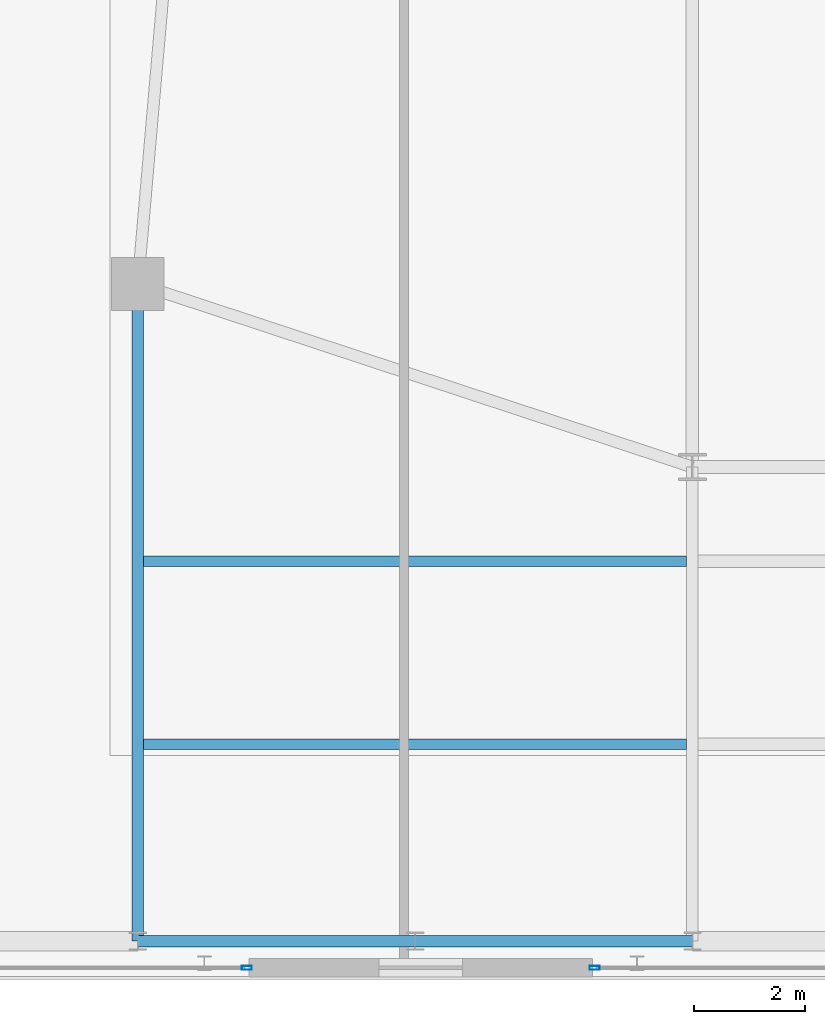
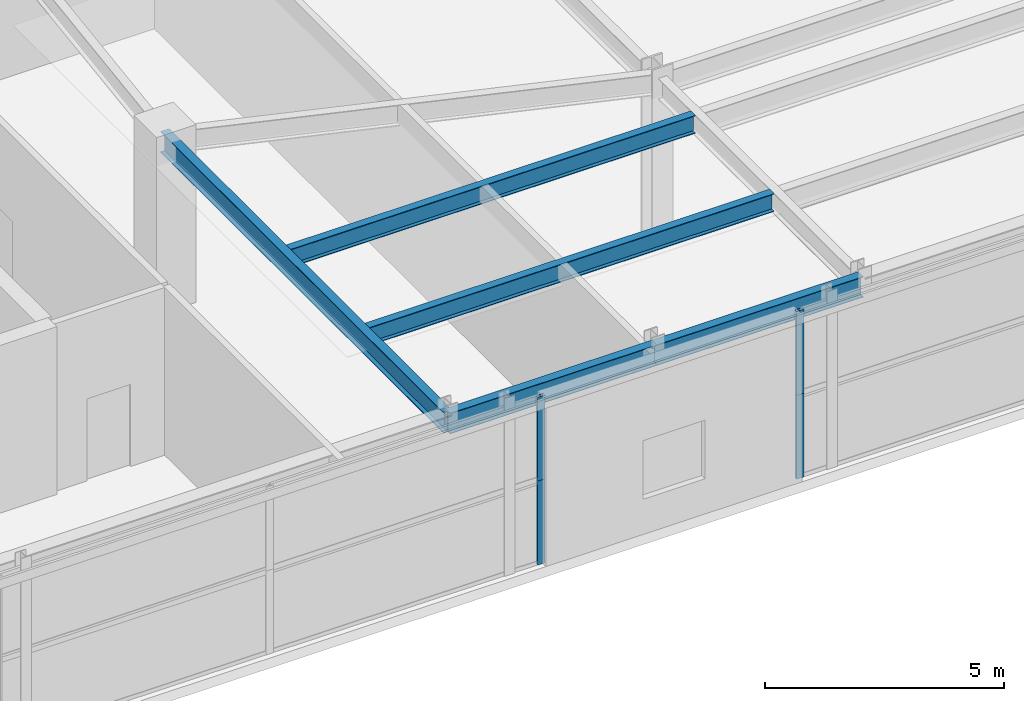
# One storey, part 10 of 26: 5 beams, 4 members, 4 elements without a shape of their own.
"""IFC4 building model written with IfcOpenShell, lengths in metres."""

import ifcopenshell
import ifcopenshell.guid

model = None  # the IFC model being written
_history = None  # IfcOwnerHistory: only IFC2X3 demands one
_inside = {}  # id of a spatial element -> (the spatial element, [elements in it])
_under = {}  # id of a project, library or spatial element -> (it, [spatial elements below it])
_declared = {}  # id of a project -> (the project, [libraries it declares])
_typed = {}  # id of a type object -> (the type object, [elements of that type])
_made_of = {}  # id of a material, layer set ... -> (it, [elements and type objects made of it])


def new_model(schema):
    """Start an empty IFC model of exactly this schema.

    Asked for "IFC4X3", IfcOpenShell would pick the latest addendum, in which some entities
    have other attributes; the version numbers below select the first issue.
    IFC2X3 requires an IfcOwnerHistory on every rooted entity: one is made here for all.
    """
    global model, _history
    if schema == "IFC4X3":
        model = ifcopenshell.file(schema_version=(4, 3, 0, 0))
    else:
        model = ifcopenshell.file(schema=schema)
    _inside.clear()
    _under.clear()
    _declared.clear()
    _typed.clear()
    _made_of.clear()
    _history = None
    if model.schema == "IFC2X3":
        org = make("IfcOrganization", Name="unknown")
        user = make(
            "IfcPersonAndOrganization",
            ThePerson=make("IfcPerson", FamilyName="unknown"),
            TheOrganization=org,
        )
        app = make(
            "IfcApplication",
            ApplicationDeveloper=org,
            Version="unknown",
            ApplicationFullName="unknown",
            ApplicationIdentifier="unknown",
        )
        _history = make(
            "IfcOwnerHistory",
            OwningUser=user,
            OwningApplication=app,
            ChangeAction="ADDED",
            CreationDate=0,
        )
    return model


def make(cls, **values):
    """One entity of the class cls with the attributes given. An attribute that is None is left unset."""
    return model.create_entity(
        cls, **{name: value for name, value in values.items() if value is not None}
    )


def rooted(cls, **values):
    """An entity with a GlobalId (a new one), such as an element, a storey or a relation."""
    return make(cls, GlobalId=ifcopenshell.guid.new(), OwnerHistory=_history, **values)


def si_unit(unit_type, name, prefix=None):
    """IfcSIUnit, for example si_unit("LENGTHUNIT", "METRE", prefix="MILLI")."""
    return make("IfcSIUnit", UnitType=unit_type, Prefix=prefix, Name=name)


def assignment(units):
    """IfcUnitAssignment: the units of a project."""
    return None if units is None else make("IfcUnitAssignment", Units=units)


def point(xyz):
    """IfcCartesianPoint."""
    return None if xyz is None else make("IfcCartesianPoint", Coordinates=xyz)


def direction(xyz):
    """IfcDirection."""
    return None if xyz is None else make("IfcDirection", DirectionRatios=xyz)


def frame(location, z_axis=None, x_axis=None):
    """IfcAxis2Placement3D, a coordinate frame: its origin and axes. An axis left out is left unset."""
    return make(
        "IfcAxis2Placement3D",
        Location=point(location),
        Axis=direction(z_axis),
        RefDirection=direction(x_axis),
    )


def frame_2d(location, x_axis=None):
    """IfcAxis2Placement2D, a coordinate frame in the plane: its origin and x axis."""
    return make(
        "IfcAxis2Placement2D", Location=point(location), RefDirection=direction(x_axis)
    )


def origin():
    """The frame at (0, 0, 0) with its axes left unset."""
    return frame((0.0, 0.0, 0.0))


def origin_2d():
    """The frame at (0, 0) in the plane with its x axis left unset."""
    return frame_2d((0.0, 0.0))


def place(relative_to, where):
    """IfcLocalPlacement: puts the frame where relative to a parent placement (None: the world)."""
    return make(
        "IfcLocalPlacement", PlacementRelTo=relative_to, RelativePlacement=where
    )


def context(
    kind, dimensions, precision=None, world=None, true_north=None, identifier=None
):
    """IfcGeometricRepresentationContext, for example the 3D "Model" context."""
    return make(
        "IfcGeometricRepresentationContext",
        ContextIdentifier=identifier,
        ContextType=kind,
        CoordinateSpaceDimension=dimensions,
        Precision=precision,
        WorldCoordinateSystem=world,
        TrueNorth=true_north,
    )


def subcontext(parent, identifier, kind, view, scale=None):
    """IfcGeometricRepresentationSubContext, for example "Body" below "Model"."""
    return make(
        "IfcGeometricRepresentationSubContext",
        ContextIdentifier=identifier,
        ContextType=kind,
        ParentContext=parent,
        TargetScale=scale,
        TargetView=view,
    )


def project(units=None, contexts=None):
    """IfcProject with its units and contexts."""
    return rooted(
        "IfcProject",
        Name="project",
        RepresentationContexts=contexts,
        UnitsInContext=assignment(units),
    )


def spatial(cls, under=None, at=None, **own):
    """A site, building, storey or space (cls), placed at a placement, below another one or the project."""
    s = rooted(cls, ObjectPlacement=at, **own)
    if under is not None:
        _under.setdefault(under.id(), (under, []))[1].append(s)
    return s


def profile(cls, at=None, kind="AREA", **sizes):
    """A parametric profile (cls). Its sizes go by their IFC names, for example OverallWidth=200.0."""
    return make(cls, ProfileType=kind, Position=at, **sizes)


def hollow_rectangle(**sizes):
    """IfcRectangleHollowProfileDef."""
    return profile("IfcRectangleHollowProfileDef", **sizes)


def i_section(**sizes):
    """IfcIShapeProfileDef."""
    return profile("IfcIShapeProfileDef", **sizes)


def extrude(swept, where, along, depth):
    """IfcExtrudedAreaSolid: the profile swept, set in the frame where, extruded along a direction by depth."""
    return make(
        "IfcExtrudedAreaSolid",
        SweptArea=swept,
        Position=where,
        ExtrudedDirection=direction(along),
        Depth=depth,
    )


def shape(context_of_items, identifier, shape_type, items):
    """IfcShapeRepresentation: the items that make up one representation, for example the "Body"."""
    return make(
        "IfcShapeRepresentation",
        ContextOfItems=context_of_items,
        RepresentationIdentifier=identifier,
        RepresentationType=shape_type,
        Items=items,
    )


def source(mapping_origin, context_of_items, identifier, shape_type, items):
    """IfcRepresentationMap: a shape defined once, which mapped items show again and again."""
    return make(
        "IfcRepresentationMap",
        MappingOrigin=mapping_origin,
        MappedRepresentation=shape(context_of_items, identifier, shape_type, items),
    )


def transform(
    local_origin,
    x_axis=None,
    y_axis=None,
    z_axis=None,
    scale=None,
    scale2=None,
    scale3=None,
    uniform=True,
):
    """IfcCartesianTransformationOperator3D, or its non-uniform kind. x_axis, y_axis, z_axis: its Axis1, 2, 3."""
    if uniform:
        return make(
            "IfcCartesianTransformationOperator3D",
            Axis1=direction(x_axis),
            Axis2=direction(y_axis),
            LocalOrigin=point(local_origin),
            Scale=scale,
            Axis3=direction(z_axis),
        )
    return make(
        "IfcCartesianTransformationOperator3DnonUniform",
        Axis1=direction(x_axis),
        Axis2=direction(y_axis),
        LocalOrigin=point(local_origin),
        Scale=scale,
        Axis3=direction(z_axis),
        Scale2=scale2,
        Scale3=scale3,
    )


def mapped(mapping_source, mapping_target):
    """IfcMappedItem: shows the shape of a source again, moved by a transform."""
    return make(
        "IfcMappedItem", MappingSource=mapping_source, MappingTarget=mapping_target
    )


def material(Name=None, Category=None):
    """IfcMaterial."""
    return make("IfcMaterial", Name=Name, Category=Category)


def layer(
    of_material, thickness, ventilated=None, Name=None, Category=None, Priority=None
):
    """IfcMaterialLayer: one layer of a wall or slab, of a material (None: an air gap)."""
    return make(
        "IfcMaterialLayer",
        Material=of_material,
        LayerThickness=thickness,
        IsVentilated=ventilated,
        Name=Name,
        Category=Category,
        Priority=Priority,
    )


def layer_set(layers, Name=None):
    """IfcMaterialLayerSet."""
    return make("IfcMaterialLayerSet", MaterialLayers=layers, LayerSetName=Name)


def material_profile(
    of_material, cross_section, Name=None, Category=None, Priority=None
):
    """IfcMaterialProfile: a cross section and its material."""
    return make(
        "IfcMaterialProfile",
        Name=Name,
        Material=of_material,
        Profile=cross_section,
        Priority=Priority,
        Category=Category,
    )


def profile_set(profiles, Name=None, composite=None):
    """IfcMaterialProfileSet."""
    return make(
        "IfcMaterialProfileSet",
        Name=Name,
        MaterialProfiles=profiles,
        CompositeProfile=composite,
    )


def made_of(thing, what):
    """Note that an element or type object is made of a material, layer set ...; save() writes the relation."""
    if what is not None:
        _made_of.setdefault(what.id(), (what, []))[1].append(thing)
    return thing


def type_object(cls, material=None, **own):
    """A type object (cls), such as IfcWallType, which elements share."""
    return made_of(rooted(cls, **own), material)


def element(
    cls,
    number,
    at=None,
    inside=None,
    cuts=None,
    type_object=None,
    material=None,
    context=None,
    identifier="Body",
    shape_type=None,
    held_by="IfcProductDefinitionShape",
    body=None,
    shapes=None,
    **own,
):
    """One element of the class cls, such as IfcWall. Its Tag is "e" and its number.

    at: its placement. inside: the storey or other place that contains it. cuts: it is an
    opening in that element (IfcRelVoidsElement). A single representation is given by context,
    identifier, shape_type and body (its items); several are given by shapes. held_by: the class
    of the entity that holds the representations. save() writes the other relations.
    """
    e = rooted(cls, Tag="e%d" % number, ObjectPlacement=at, **own)
    if body is not None:
        shapes = [shape(context, identifier, shape_type, body)]
    if shapes is not None:
        e.Representation = make(held_by, Representations=shapes)
    if inside is not None:
        _inside.setdefault(inside.id(), (inside, []))[1].append(e)
    if cuts is not None:
        rooted(
            "IfcRelVoidsElement", RelatingBuildingElement=cuts, RelatedOpeningElement=e
        )
    if type_object is not None:
        _typed.setdefault(type_object.id(), (type_object, []))[1].append(e)
    return made_of(e, material)


def aggregate(whole, parts):
    """IfcRelAggregates: a whole, such as a stair, and the parts it consists of."""
    return rooted("IfcRelAggregates", RelatingObject=whole, RelatedObjects=parts)


def save(model, path):
    """Write the relations noted so far, then the file.

    IfcRelAggregates (storeys below a building ...), IfcRelContainedInSpatialStructure (elements
    in a storey), IfcRelDefinesByType, IfcRelAssociatesMaterial and IfcRelDeclares: one each for
    every whole, place, type object, material and project.
    """
    for whole, parts in _under.values():
        aggregate(whole, parts)
    for where, things in _inside.values():
        rooted(
            "IfcRelContainedInSpatialStructure",
            RelatedElements=things,
            RelatingStructure=where,
        )
    for kind, things in _typed.values():
        rooted("IfcRelDefinesByType", RelatedObjects=things, RelatingType=kind)
    for what, things in _made_of.values():
        rooted("IfcRelAssociatesMaterial", RelatedObjects=things, RelatingMaterial=what)
    for by, libraries in _declared.values():
        rooted("IfcRelDeclares", RelatingContext=by, RelatedDefinitions=libraries)
    model.write(path)


model = new_model("IFC4")

# Units and contexts
model_context = context("Model", 3, precision=1e-05, world=origin(), true_north=direction((0.0, 1.0)))
body_context = subcontext(model_context, "Body", "Model", "MODEL_VIEW")
ifc_project = project(units=[si_unit("LENGTHUNIT", "METRE"), si_unit("AREAUNIT", "SQUARE_METRE"), si_unit("VOLUMEUNIT", "CUBIC_METRE"), si_unit("PLANEANGLEUNIT", "RADIAN"), si_unit("MASSUNIT", "GRAM", prefix="KILO")], contexts=[model_context])

# Site, building, storey
site_placement = place(None, origin())
site = spatial("IfcSite", under=ifc_project, at=site_placement, CompositionType="ELEMENT")
building_placement = place(site_placement, origin())
building = spatial("IfcBuilding", under=site, at=building_placement, Name="Taldren Reach Tower", CompositionType="ELEMENT")
storey_placement = place(building_placement, frame((0.0, 0.0, 8.39990234375)))
storey = spatial("IfcBuildingStorey", under=building, at=storey_placement, Name="L02", CompositionType="ELEMENT", Elevation=8.39990234375)

# Beams
ifc_material_1 = material(Name="Steel Gr 350 (350PLUS)", Category="steel")
ifc_material_profile_1 = material_profile(ifc_material_1, i_section(OverallWidth=0.208984375, OverallDepth=0.528076171875, WebThickness=0.009521484375, FlangeThickness=0.01318359375, at=origin_2d()), Name="530UB82.0")
ifc_profile_set_1 = profile_set([ifc_material_profile_1], Name="Steel Gr 350 (350PLUS)")
beam_type_1 = type_object("IfcBeamType", Name="SP-UB530B", PredefinedType="SPANDREL", material=ifc_profile_set_1)
shared_shape_1 = source(origin(), body_context, "Body", "SweptSolid", [
    extrude(i_section(OverallWidth=0.208984375, OverallDepth=0.528076171875, WebThickness=0.009521484375, FlangeThickness=0.01318359375, at=origin_2d()), origin(), (0.0, 0.0, 1.0), 5.0),
])
for number, where, z_axis, x_axis, name in (
    (1, (18.0, 0.64990234375, 4.026123046875), (1.0, 0.0, 0.0), (0.0, 1.0, 0.0), "Podium beam L02-PD02"),
    (2, (23.0, 0.64990234375, 4.026123046875), (1.0, 0.0, 0.0), (0.0, 1.0, 0.0), "Podium beam L02-PD03"),
):
    element("IfcBeam", number, at=place(storey_placement, frame(where, z_axis=z_axis, x_axis=x_axis)), inside=storey, type_object=beam_type_1, Name=name, PredefinedType="SPANDREL", context=body_context, shape_type="MappedRepresentation", body=[
        mapped(shared_shape_1, transform((0.0, 0.0, 0.0), scale=1.0)),
    ])
ifc_material_profile_2 = material_profile(ifc_material_1, i_section(OverallWidth=0.208984375, OverallDepth=0.532958984375, WebThickness=0.01025390625, FlangeThickness=0.015625, at=origin_2d()), Name="530UB92.4")
ifc_profile_set_2 = profile_set([ifc_material_profile_2], Name="Steel Gr 350 (350PLUS)")
beam_type_2 = type_object("IfcBeamType", Name="BM-UB530A", PredefinedType="BEAM", material=ifc_profile_set_2)
shared_shape_2 = source(origin(), body_context, "Body", "SweptSolid", [
    extrude(i_section(OverallWidth=0.208984375, OverallDepth=0.532958984375, WebThickness=0.01025390625, FlangeThickness=0.015625, at=origin_2d()), origin(), (0.0, 0.0, 1.0), 11.85009765625),
])
beam_placement = place(storey_placement, frame((18.0, 0.64990234375, 4.023681640625), z_axis=(0.0, 1.0, 0.0), x_axis=(-1.0, 0.0, 0.0)))
element("IfcBeam", 3, at=beam_placement, inside=storey, type_object=beam_type_2, Name="Podium beam L02-PD22", PredefinedType="BEAM", context=body_context, shape_type="MappedRepresentation", body=[
    mapped(shared_shape_2, transform((0.0, 0.0, 0.0), scale=1.0)),
])
ifc_material_profile_3 = material_profile(ifc_material_1, i_section(OverallWidth=0.19091796875, OverallDepth=0.4599609375, WebThickness=0.010009765625, FlangeThickness=0.01611328125, at=origin_2d()), Name="460UB82.1")
ifc_profile_set_3 = profile_set([ifc_material_profile_3], Name="Steel Gr 350 (350PLUS)")
beam_type_3 = type_object("IfcBeamType", Name="BM-UB460A", PredefinedType="BEAM", material=ifc_profile_set_3)
shared_shape_3 = source(origin(), body_context, "Body", "SweptSolid", [
    extrude(i_section(OverallWidth=0.19091796875, OverallDepth=0.4599609375, WebThickness=0.010009765625, FlangeThickness=0.01611328125, at=origin_2d()), origin(), (0.0, 0.0, 1.0), 9.791015625),
])
for number, where, z_axis, x_axis, name in (
    (4, (18.1044921875, 4.199951171875, 4.06005859375), (1.0, 0.0, 0.0), (0.0, 1.0, 0.0), "Podium composite floor beam L02-1.1"),
    (5, (18.1044921875, 7.5, 4.06005859375), (1.0, 0.0, 0.0), (0.0, 1.0, 0.0), "Podium composite floor beam L02-2.1"),
):
    element("IfcBeam", number, at=place(storey_placement, frame(where, z_axis=z_axis, x_axis=x_axis)), inside=storey, type_object=beam_type_3, Name=name, PredefinedType="BEAM", context=body_context, shape_type="MappedRepresentation", body=[
        mapped(shared_shape_3, transform((0.0, 0.0, 0.0), scale=1.0)),
    ])

# Curtain wall, member
ifc_material_2 = material(Name="Aluminium and Low-E Glass Unitised System", Category="aluminium")
ifc_layer = layer(ifc_material_2, 0.159912109375)
ifc_layer_set = layer_set([ifc_layer], Name="Aluminium and Low-E Glass Unitised System")
curtain_wall_type = type_object("IfcCurtainWallType", Name="CW-SYS-1", PredefinedType="NOTDEFINED", material=ifc_layer_set)
curtain_wall_1_placement = place(storey_placement, origin())
curtain_wall_1 = element("IfcCurtainWall", 6, at=curtain_wall_1_placement, inside=storey, type_object=curtain_wall_type, Name="Unitised curtain wall CW1-L02-S1", PredefinedType="NOTDEFINED")
ifc_material_3 = material(Name="Anodised Aluminium 6063-T6", Category="aluminium")
ifc_material_profile_4 = material_profile(ifc_material_3, hollow_rectangle(XDim=0.070068359375, YDim=0.179931640625, WallThickness=0.00390625, at=origin_2d()), Name="ALU-180x70x4RHS")
ifc_profile_set_4 = profile_set([ifc_material_profile_4], Name="Anodised Aluminium 6063-T6")
member_type = type_object("IfcMemberType", Name="CW-MUL-180", PredefinedType="MULLION", material=ifc_profile_set_4)
shared_shape_4 = source(origin(), body_context, "Body", "SweptSolid", [
    extrude(hollow_rectangle(XDim=0.070068359375, YDim=0.179931640625, WallThickness=0.00390625, at=origin_2d()), origin(), (0.0, 0.0, 1.0), 2.14501953125),
])
member_1_placement = place(storey_placement, frame((19.965087890625, 0.169921875, 0.0), z_axis=(0.0, 0.0, 1.0), x_axis=(0.0, 1.0, 0.0)))
member_1 = element("IfcMember", 7, at=member_1_placement, type_object=member_type, Name="CW-1 mullion 3", PredefinedType="MULLION", context=body_context, shape_type="MappedRepresentation", body=[
    mapped(shared_shape_4, transform((0.0, 0.0, 0.0), scale=1.0)),
])
aggregate(curtain_wall_1, [member_1])

curtain_wall_2_placement = place(storey_placement, origin())
curtain_wall_2 = element("IfcCurtainWall", 8, at=curtain_wall_2_placement, inside=storey, type_object=curtain_wall_type, Name="Unitised curtain wall CW1-L02-S1-T2", PredefinedType="NOTDEFINED")
member_2_placement = place(storey_placement, frame((19.965087890625, 0.169921875, 2.14501953125), z_axis=(0.0, 0.0, 1.0), x_axis=(0.0, 1.0, 0.0)))
member_2 = element("IfcMember", 9, at=member_2_placement, type_object=member_type, Name="CW-1 mullion 3", PredefinedType="MULLION", context=body_context, shape_type="MappedRepresentation", body=[
    mapped(shared_shape_4, transform((0.0, 0.0, 0.0), scale=1.0)),
])
aggregate(curtain_wall_2, [member_2])

curtain_wall_3_placement = place(storey_placement, origin())
curtain_wall_3 = element("IfcCurtainWall", 10, at=curtain_wall_3_placement, inside=storey, type_object=curtain_wall_type, Name="Unitised curtain wall CW1-L02-S2", PredefinedType="NOTDEFINED")
member_3_placement = place(storey_placement, frame((26.235107421875, 0.169921875, 0.0), z_axis=(0.0, 0.0, 1.0), x_axis=(0.0, 1.0, 0.0)))
member_3 = element("IfcMember", 11, at=member_3_placement, type_object=member_type, Name="CW-1 mullion 1", PredefinedType="MULLION", context=body_context, shape_type="MappedRepresentation", body=[
    mapped(shared_shape_4, transform((0.0, 0.0, 0.0), scale=1.0)),
])
aggregate(curtain_wall_3, [member_3])

curtain_wall_4_placement = place(storey_placement, origin())
curtain_wall_4 = element("IfcCurtainWall", 12, at=curtain_wall_4_placement, inside=storey, type_object=curtain_wall_type, Name="Unitised curtain wall CW1-L02-S2-T2", PredefinedType="NOTDEFINED")
member_4_placement = place(storey_placement, frame((26.235107421875, 0.169921875, 2.14501953125), z_axis=(0.0, 0.0, 1.0), x_axis=(0.0, 1.0, 0.0)))
member_4 = element("IfcMember", 13, at=member_4_placement, type_object=member_type, Name="CW-1 mullion 1", PredefinedType="MULLION", context=body_context, shape_type="MappedRepresentation", body=[
    mapped(shared_shape_4, transform((0.0, 0.0, 0.0), scale=1.0)),
])
aggregate(curtain_wall_4, [member_4])

save(model, "model.ifc")
